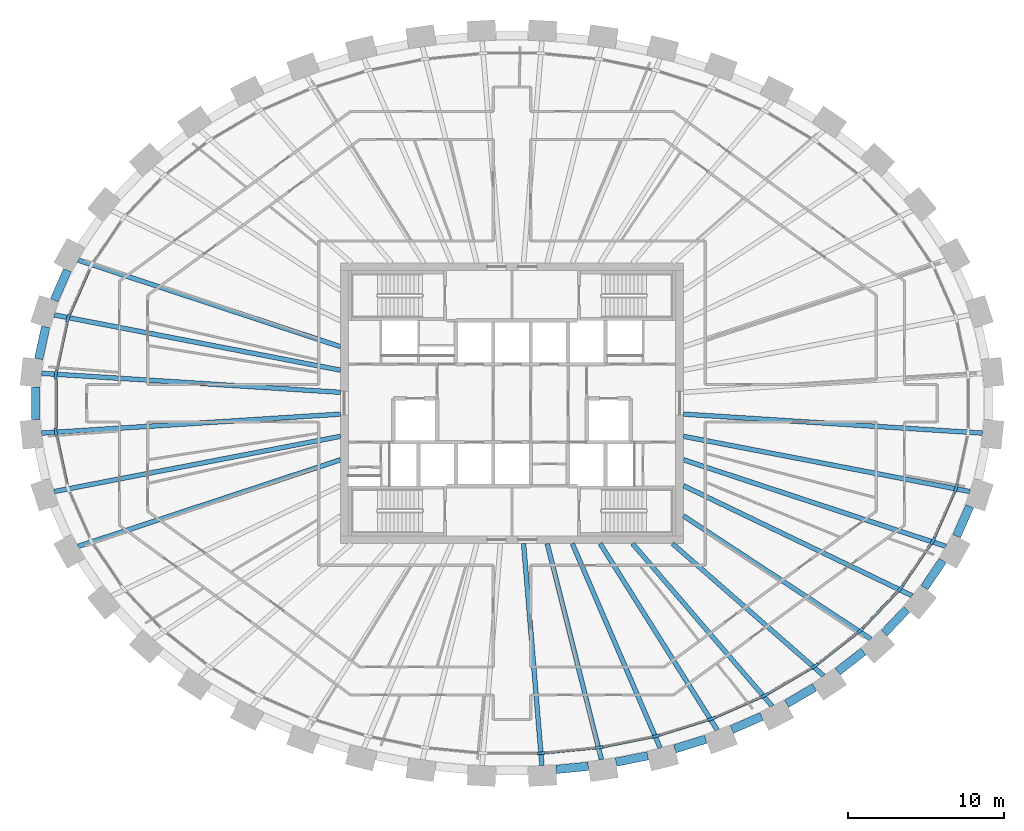
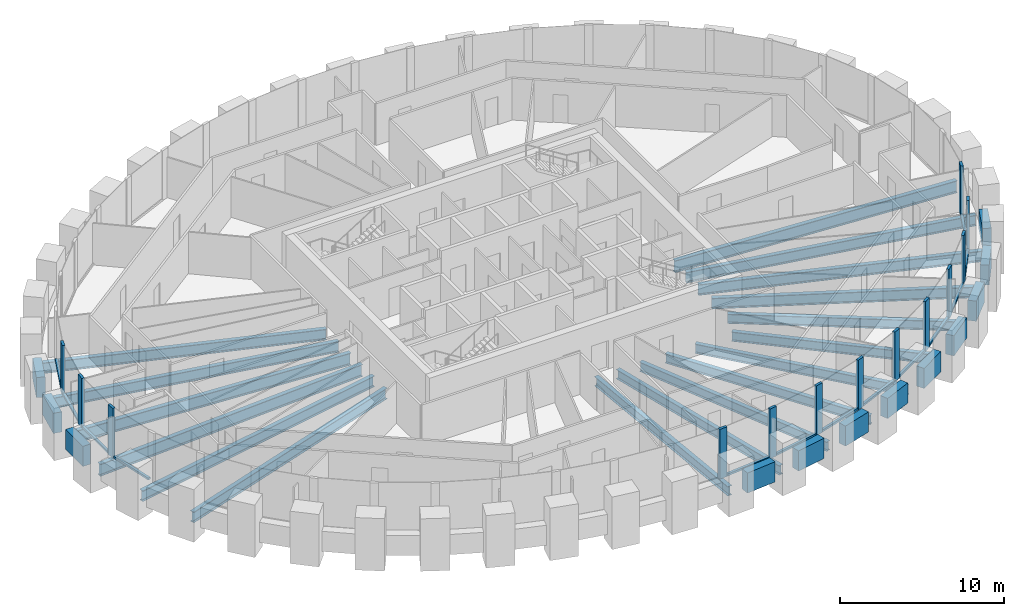
# One storey, part 2 of 12: 29 beams, 26 members, 1 element without a shape of its own.
"""IFC4 building model written with IfcOpenShell, lengths in metres."""

from ifc_helpers import new_model, si_unit, direction, frame, origin, origin_2d, place, context, subcontext, project, spatial, rectangle, i_section, extrude, source, transform, mapped, material, material_profile, profile_set, type_object, element, aggregate, save


model = new_model("IFC4")

# Units and contexts
model_context = context("Model", 3, precision=1e-05, world=origin(), true_north=direction((0.0, 1.0)))
body_context = subcontext(model_context, "Body", "Model", "MODEL_VIEW")
ifc_project = project(units=[si_unit("LENGTHUNIT", "METRE"), si_unit("AREAUNIT", "SQUARE_METRE"), si_unit("VOLUMEUNIT", "CUBIC_METRE"), si_unit("PLANEANGLEUNIT", "RADIAN"), si_unit("MASSUNIT", "GRAM", prefix="KILO")], contexts=[model_context])

# Site, building, storey
site_placement = place(None, origin())
site = spatial("IfcSite", under=ifc_project, at=site_placement, CompositionType="ELEMENT")
building_placement = place(site_placement, origin())
building = spatial("IfcBuilding", under=site, at=building_placement, Name="Embergate Tower", CompositionType="ELEMENT")
storey_placement = place(building_placement, frame((0.0, 0.0, 301.300048828125)))
storey = spatial("IfcBuildingStorey", under=building, at=storey_placement, Name="L70", CompositionType="ELEMENT", Elevation=301.300048828125)

# Beams
ifc_material_1 = material(Name="Steel Q355B", Category="steel")
ifc_material_profile_1 = material_profile(ifc_material_1, i_section(OverallWidth=0.300048828125, OverallDepth=0.699951171875, WebThickness=0.012939453125, FlangeThickness=0.02392578125, FilletRadius=0.01806640625, at=origin_2d()), Name="HN 700x300x13x24")
ifc_profile_set_1 = profile_set([ifc_material_profile_1], Name="Steel Q355 grade B")
beam_type_1 = type_object("IfcBeamType", Name="Radial girder HN 700x300x13x24", PredefinedType="BEAM", material=ifc_profile_set_1)
shared_shape_1 = source(origin(), body_context, "Body", "SweptSolid", [
    extrude(i_section(OverallWidth=0.300048828125, OverallDepth=0.699951171875, WebThickness=0.012939453125, FlangeThickness=0.02392578125, FilletRadius=0.01806640625, at=origin_2d()), origin(), (0.0, 0.0, 1.0), 13.742431640625),
])
beam_1_placement = place(storey_placement, frame((16.681884765625, -19.426025390625, -0.550048828125), z_axis=(-0.651474345674, 0.758670664339, 0.0), x_axis=(-0.758670664339, -0.651474345674, 0.0)))
element("IfcBeam", 1, at=beam_1_placement, inside=storey, type_object=beam_type_1, Name="GIR-L70-37", PredefinedType="BEAM", context=body_context, shape_type="MappedRepresentation", body=[
    mapped(shared_shape_1, transform((0.0, 0.0, 0.0))),
])
ifc_material_2 = material(Name="Concrete C50", Category="concrete")
ifc_material_profile_2 = material_profile(ifc_material_2, rectangle(XDim=0.550048828125, YDim=1.5, at=origin_2d()), Name="RC 550x1500")
ifc_profile_set_2 = profile_set([ifc_material_profile_2], Name="Concrete C50")
beam_type_2 = type_object("IfcBeamType", Name="Spandrel beam RC 550x1500 C50", PredefinedType="BEAM", material=ifc_profile_set_2)
shared_shape_2 = source(origin(), body_context, "Body", "SweptSolid", [
    extrude(rectangle(XDim=0.550048828125, YDim=1.5, at=origin_2d()), origin(), (0.0, 0.0, 1.0), 2.10107421875),
])
beam_2_placement = place(storey_placement, frame((-29.905029296875, 4.89501953125, 0.0), z_axis=(-0.210330547493, -0.977630329312, 0.0), x_axis=(0.977630329312, -0.210330547493, 0.0)))
element("IfcBeam", 2, at=beam_2_placement, inside=storey, type_object=beam_type_2, Name="SPN-L70-20", PredefinedType="BEAM", context=body_context, shape_type="MappedRepresentation", body=[
    mapped(shared_shape_2, transform((0.0, 0.0, 0.0))),
])
shared_shape_3 = source(origin(), body_context, "Body", "SweptSolid", [
    extrude(rectangle(XDim=0.550048828125, YDim=1.5, at=origin_2d()), origin(), (0.0, 0.0, 1.0), 2.097900390625),
])
for number, where, z_axis, x_axis, name in (
    (3, (-28.508056640625, 8.529052734375, 0.0), (-0.401825860592, -0.91571610107, 0.0), (0.91571610107, -0.401825860592, 0.0), "SPN-L70-19"),
    (4, (28.508056640625, -8.529052734375, 0.0), (0.401825860592, 0.91571610107, 0.0), (-0.91571610107, 0.401825860592, 0.0), "SPN-L70-41"),
):
    element("IfcBeam", number, at=place(storey_placement, frame(where, z_axis=z_axis, x_axis=x_axis)), inside=storey, type_object=beam_type_2, Name=name, PredefinedType="BEAM", context=body_context, shape_type="MappedRepresentation", body=[
        mapped(shared_shape_3, transform((0.0, 0.0, 0.0))),
    ])
shared_shape_4 = source(origin(), body_context, "Body", "SweptSolid", [
    extrude(rectangle(XDim=0.550048828125, YDim=1.5, at=origin_2d()), origin(), (0.0, 0.0, 1.0), 2.09033203125),
])
beam_3_placement = place(storey_placement, frame((26.444091796875, -11.822998046875, 0.0), z_axis=(0.562009695033, 0.827130644269, 0.0), x_axis=(-0.827130644269, 0.562009695033, 0.0)))
element("IfcBeam", 5, at=beam_3_placement, inside=storey, type_object=beam_type_2, Name="SPN-L70-40", PredefinedType="BEAM", context=body_context, shape_type="MappedRepresentation", body=[
    mapped(shared_shape_4, transform((0.0, 0.0, 0.0))),
])
shared_shape_5 = source(origin(), body_context, "Body", "SweptSolid", [
    extrude(rectangle(XDim=0.550048828125, YDim=1.5, at=origin_2d()), origin(), (0.0, 0.0, 1.0), 2.08447265625),
])
beam_4_placement = place(storey_placement, frame((23.8740234375, -14.73095703125, 0.0), z_axis=(0.690339235394, 0.72348582576, 0.0), x_axis=(-0.72348582576, 0.690339235394, 0.0)))
element("IfcBeam", 6, at=beam_4_placement, inside=storey, type_object=beam_type_2, Name="SPN-L70-39", PredefinedType="BEAM", context=body_context, shape_type="MappedRepresentation", body=[
    mapped(shared_shape_5, transform((0.0, 0.0, 0.0))),
])
shared_shape_6 = source(origin(), body_context, "Body", "SweptSolid", [
    extrude(rectangle(XDim=0.550048828125, YDim=1.5, at=origin_2d()), origin(), (0.0, 0.0, 1.0), 2.0791015625),
])
beam_5_placement = place(storey_placement, frame((20.887939453125, -17.2041015625, 0.0), z_axis=(0.788383845435, 0.615183641084, 0.0), x_axis=(-0.615183641084, 0.788383845435, 0.0)))
element("IfcBeam", 7, at=beam_5_placement, inside=storey, type_object=beam_type_2, Name="SPN-L70-38", PredefinedType="BEAM", context=body_context, shape_type="MappedRepresentation", body=[
    mapped(shared_shape_6, transform((0.0, 0.0, 0.0))),
])
shared_shape_7 = source(origin(), body_context, "Body", "SweptSolid", [
    extrude(rectangle(XDim=0.550048828125, YDim=1.5, at=origin_2d()), origin(), (0.0, 0.0, 1.0), 2.074462890625),
])
beam_6_placement = place(storey_placement, frame((17.611083984375, -19.26806640625, 0.0), z_axis=(0.861864620017, 0.507138419726, 0.0), x_axis=(-0.507138419726, 0.861864620017, 0.0)))
element("IfcBeam", 8, at=beam_6_placement, inside=storey, type_object=beam_type_2, Name="SPN-L70-37", PredefinedType="BEAM", context=body_context, shape_type="MappedRepresentation", body=[
    mapped(shared_shape_7, transform((0.0, 0.0, 0.0))),
])
shared_shape_8 = source(origin(), body_context, "Body", "SweptSolid", [
    extrude(rectangle(XDim=0.550048828125, YDim=1.5, at=origin_2d()), origin(), (0.0, 0.0, 1.0), 2.073486328125),
])
beam_7_placement = place(storey_placement, frame((14.10791015625, -20.916015625, 0.0), z_axis=(0.91637608024, 0.400318472673, 0.0), x_axis=(-0.400318472673, 0.91637608024, 0.0)))
element("IfcBeam", 9, at=beam_7_placement, inside=storey, type_object=beam_type_2, Name="SPN-L70-36", PredefinedType="BEAM", context=body_context, shape_type="MappedRepresentation", body=[
    mapped(shared_shape_8, transform((0.0, 0.0, 0.0))),
])
shared_shape_9 = source(origin(), body_context, "Body", "SweptSolid", [
    extrude(rectangle(XDim=0.550048828125, YDim=1.5, at=origin_2d()), origin(), (0.0, 0.0, 1.0), 2.07080078125),
])
beam_8_placement = place(storey_placement, frame((10.445068359375, -22.160888671875, 0.0), z_axis=(0.954735561173, 0.297455892917, 0.0), x_axis=(-0.297455892917, 0.954735561173, 0.0)))
element("IfcBeam", 10, at=beam_8_placement, inside=storey, type_object=beam_type_2, Name="SPN-L70-35", PredefinedType="BEAM", context=body_context, shape_type="MappedRepresentation", body=[
    mapped(shared_shape_9, transform((0.0, 0.0, 0.0))),
])
shared_shape_10 = source(origin(), body_context, "Body", "SweptSolid", [
    extrude(rectangle(XDim=0.550048828125, YDim=1.5, at=origin_2d()), origin(), (0.0, 0.0, 1.0), 2.070556640625),
])
beam_9_placement = place(storey_placement, frame((6.6708984375, -23.013916015625, 0.0), z_axis=(0.980398860457, 0.197023030165, 0.0), x_axis=(-0.197023030165, 0.980398860457, 0.0)))
element("IfcBeam", 11, at=beam_9_placement, inside=storey, type_object=beam_type_2, Name="SPN-L70-34", PredefinedType="BEAM", context=body_context, shape_type="MappedRepresentation", body=[
    mapped(shared_shape_10, transform((0.0, 0.0, 0.0))),
])
shared_shape_11 = source(origin(), body_context, "Body", "SweptSolid", [
    extrude(rectangle(XDim=0.550048828125, YDim=1.5, at=origin_2d()), origin(), (0.0, 0.0, 1.0), 2.06884765625),
])
beam_10_placement = place(storey_placement, frame((2.83203125, -23.48095703125, 0.0), z_axis=(0.995226952233, 0.097587466149, 0.0), x_axis=(-0.097587466149, 0.995226952233, 0.0)))
element("IfcBeam", 12, at=beam_10_placement, inside=storey, type_object=beam_type_2, Name="SPN-L70-33", PredefinedType="BEAM", context=body_context, shape_type="MappedRepresentation", body=[
    mapped(shared_shape_11, transform((0.0, 0.0, 0.0))),
])
shared_shape_12 = source(origin(), body_context, "Body", "SweptSolid", [
    extrude(rectangle(XDim=0.550048828125, YDim=1.5, at=origin_2d()), origin(), (0.0, 0.0, 1.0), 2.10205078125),
])
beam_11_placement = place(storey_placement, frame((-30.5380859375, 1.051025390625, 0.0), z_axis=(0.0, -1.0, 0.0), x_axis=(1.0, 0.0, 0.0)))
element("IfcBeam", 13, at=beam_11_placement, inside=storey, type_object=beam_type_2, Name="SPN-L70-21", PredefinedType="BEAM", context=body_context, shape_type="MappedRepresentation", body=[
    mapped(shared_shape_12, transform((0.0, 0.0, 0.0))),
])
ifc_material_profile_3 = material_profile(ifc_material_1, i_section(OverallWidth=0.300048828125, OverallDepth=0.89990234375, WebThickness=0.01611328125, FlangeThickness=0.028076171875, FilletRadius=0.028076171875, at=origin_2d()), Name="HN 900x300x16x28")
ifc_profile_set_3 = profile_set([ifc_material_profile_3], Name="Steel Q355 grade B")
beam_type_3 = type_object("IfcBeamType", Name="Radial girder HN 900x300x16x28", PredefinedType="BEAM", material=ifc_profile_set_3)
shared_shape_13 = source(origin(), body_context, "Body", "SweptSolid", [
    extrude(i_section(OverallWidth=0.300048828125, OverallDepth=0.89990234375, WebThickness=0.01611328125, FlangeThickness=0.028076171875, FilletRadius=0.028076171875, at=origin_2d()), origin(), (0.0, 0.0, 1.0), 19.20166015625),
])
for number, where, z_axis, x_axis, name in (
    (14, (-30.1630859375, 1.916015625, -0.650146484375), (0.997989342147, -0.063381960844, 0.0), (0.063381960844, 0.997989342147, 0.0), "GIR-L70-21"),
    (15, (-30.1630859375, -1.916015625, -0.650146484375), (0.997989342147, 0.063381960844, 0.0), (-0.063381960844, 0.997989342147, 0.0), "GIR-L70-22"),
    (16, (30.1630859375, -1.916015625, -0.650146484375), (-0.997989342147, 0.063381960844, 0.0), (-0.063381960844, -0.997989342147, 0.0), "GIR-L70-43"),
):
    element("IfcBeam", number, at=place(storey_placement, frame(where, z_axis=z_axis, x_axis=x_axis)), inside=storey, type_object=beam_type_3, Name=name, PredefinedType="BEAM", context=body_context, shape_type="MappedRepresentation", body=[
        mapped(shared_shape_13, transform((0.0, 0.0, 0.0))),
    ])
ifc_material_profile_4 = material_profile(ifc_material_1, i_section(OverallWidth=0.300048828125, OverallDepth=0.800048828125, WebThickness=0.013916015625, FlangeThickness=0.02587890625, FilletRadius=0.028076171875, at=origin_2d()), Name="HN 800x300x14x26")
ifc_profile_set_4 = profile_set([ifc_material_profile_4], Name="Steel Q355 grade B")
beam_type_4 = type_object("IfcBeamType", Name="Radial girder HN 800x300x14x26", PredefinedType="BEAM", material=ifc_profile_set_4)
shared_shape_14 = source(origin(), body_context, "Body", "SweptSolid", [
    extrude(i_section(OverallWidth=0.300048828125, OverallDepth=0.800048828125, WebThickness=0.013916015625, FlangeThickness=0.02587890625, FilletRadius=0.028076171875, at=origin_2d()), origin(), (0.0, 0.0, 1.0), 18.6943359375),
])
for number, where, z_axis, x_axis, name in (
    (17, (-29.35595703125, 5.6630859375, -0.60009765625), (0.981896924723, -0.189416021549, 0.0), (0.189416021549, 0.981896924723, 0.0), "GIR-L70-20"),
    (18, (-29.35595703125, -5.6630859375, -0.60009765625), (0.981896924723, 0.189416021549, 0.0), (-0.189416021549, 0.981896924723, 0.0), "GIR-L70-23"),
    (19, (29.35595703125, -5.6630859375, -0.60009765625), (-0.981896924723, 0.189416021549, 0.0), (-0.189416021549, -0.981896924723, 0.0), "GIR-L70-42"),
):
    element("IfcBeam", number, at=place(storey_placement, frame(where, z_axis=z_axis, x_axis=x_axis)), inside=storey, type_object=beam_type_4, Name=name, PredefinedType="BEAM", context=body_context, shape_type="MappedRepresentation", body=[
        mapped(shared_shape_14, transform((0.0, 0.0, 0.0))),
    ])
shared_shape_15 = source(origin(), body_context, "Body", "SweptSolid", [
    extrude(i_section(OverallWidth=0.300048828125, OverallDepth=0.800048828125, WebThickness=0.013916015625, FlangeThickness=0.02587890625, FilletRadius=0.028076171875, at=origin_2d()), origin(), (0.0, 0.0, 1.0), 17.70703125),
])
for number, where, z_axis, x_axis, name in (
    (20, (-27.81591796875, 9.174072265625, -0.60009765625), (0.949680910183, -0.313219042897, 0.0), (0.313219042897, 0.949680910183, 0.0), "GIR-L70-19"),
    (21, (-27.81591796875, -9.174072265625, -0.60009765625), (0.949680910183, 0.313219042897, 0.0), (-0.313219042897, 0.949680910183, 0.0), "GIR-L70-24"),
    (22, (27.81591796875, -9.174072265625, -0.60009765625), (-0.949680910183, 0.313219042897, 0.0), (-0.313219042897, -0.949680910183, 0.0), "GIR-L70-41"),
):
    element("IfcBeam", number, at=place(storey_placement, frame(where, z_axis=z_axis, x_axis=x_axis)), inside=storey, type_object=beam_type_4, Name=name, PredefinedType="BEAM", context=body_context, shape_type="MappedRepresentation", body=[
        mapped(shared_shape_15, transform((0.0, 0.0, 0.0))),
    ])
shared_shape_16 = source(origin(), body_context, "Body", "SweptSolid", [
    extrude(i_section(OverallWidth=0.300048828125, OverallDepth=0.800048828125, WebThickness=0.013916015625, FlangeThickness=0.02587890625, FilletRadius=0.028076171875, at=origin_2d()), origin(), (0.0, 0.0, 1.0), 16.268310546875),
])
beam_12_placement = place(storey_placement, frame((25.659912109375, -12.344970703125, -0.60009765625), z_axis=(-0.901133717561, 0.433541258791, 0.0), x_axis=(-0.433541258791, -0.901133717561, 0.0)))
element("IfcBeam", 23, at=beam_12_placement, inside=storey, type_object=beam_type_4, Name="GIR-L70-40", PredefinedType="BEAM", context=body_context, shape_type="MappedRepresentation", body=[
    mapped(shared_shape_16, transform((0.0, 0.0, 0.0))),
])
shared_shape_17 = source(origin(), body_context, "Body", "SweptSolid", [
    extrude(i_section(OverallWidth=0.300048828125, OverallDepth=0.699951171875, WebThickness=0.012939453125, FlangeThickness=0.02392578125, FilletRadius=0.01806640625, at=origin_2d()), origin(), (0.0, 0.0, 1.0), 14.3740234375),
])
beam_13_placement = place(storey_placement, frame((23.012939453125, -15.1201171875, -0.550048828125), z_axis=(-0.835742226811, 0.549121963069, 0.0), x_axis=(-0.549121963069, -0.835742226811, 0.0)))
element("IfcBeam", 24, at=beam_13_placement, inside=storey, type_object=beam_type_1, Name="GIR-L70-39", PredefinedType="BEAM", context=body_context, shape_type="MappedRepresentation", body=[
    mapped(shared_shape_17, transform((0.0, 0.0, 0.0))),
])
shared_shape_18 = source(origin(), body_context, "Body", "SweptSolid", [
    extrude(i_section(OverallWidth=0.300048828125, OverallDepth=0.699951171875, WebThickness=0.012939453125, FlangeThickness=0.02392578125, FilletRadius=0.01806640625, at=origin_2d()), origin(), (0.0, 0.0, 1.0), 12.88330078125),
])
beam_14_placement = place(storey_placement, frame((19.989013671875, -17.48095703125, -0.550048828125), z_axis=(-0.752760969036, 0.658293949157, 0.0), x_axis=(-0.658293949157, -0.752760969036, 0.0)))
element("IfcBeam", 25, at=beam_14_placement, inside=storey, type_object=beam_type_1, Name="GIR-L70-38", PredefinedType="BEAM", context=body_context, shape_type="MappedRepresentation", body=[
    mapped(shared_shape_18, transform((0.0, 0.0, 0.0))),
])
shared_shape_19 = source(origin(), body_context, "Body", "SweptSolid", [
    extrude(i_section(OverallWidth=0.300048828125, OverallDepth=0.699951171875, WebThickness=0.012939453125, FlangeThickness=0.02392578125, FilletRadius=0.01806640625, at=origin_2d()), origin(), (0.0, 0.0, 1.0), 14.126953125),
])
beam_15_placement = place(storey_placement, frame((13.166015625, -20.962890625, -0.550048828125), z_axis=(-0.531886600535, 0.846815590416, 0.0), x_axis=(-0.846815590416, -0.531886600535, 0.0)))
element("IfcBeam", 26, at=beam_15_placement, inside=storey, type_object=beam_type_1, Name="GIR-L70-36", PredefinedType="BEAM", context=body_context, shape_type="MappedRepresentation", body=[
    mapped(shared_shape_19, transform((0.0, 0.0, 0.0))),
])
shared_shape_20 = source(origin(), body_context, "Body", "SweptSolid", [
    extrude(i_section(OverallWidth=0.300048828125, OverallDepth=0.699951171875, WebThickness=0.012939453125, FlangeThickness=0.02392578125, FilletRadius=0.01806640625, at=origin_2d()), origin(), (0.0, 0.0, 1.0), 14.263427734375),
])
beam_16_placement = place(storey_placement, frame((9.501953125, -22.10400390625, -0.550048828125), z_axis=(-0.394929229866, 0.918711545262, 0.0), x_axis=(-0.918711545262, -0.394929229866, 0.0)))
element("IfcBeam", 27, at=beam_16_placement, inside=storey, type_object=beam_type_1, Name="GIR-L70-35", PredefinedType="BEAM", context=body_context, shape_type="MappedRepresentation", body=[
    mapped(shared_shape_20, transform((0.0, 0.0, 0.0))),
])
shared_shape_21 = source(origin(), body_context, "Body", "SweptSolid", [
    extrude(i_section(OverallWidth=0.300048828125, OverallDepth=0.699951171875, WebThickness=0.012939453125, FlangeThickness=0.02392578125, FilletRadius=0.01806640625, at=origin_2d()), origin(), (0.0, 0.0, 1.0), 14.288818359375),
])
beam_17_placement = place(storey_placement, frame((5.738037109375, -22.85888671875, -0.550048828125), z_axis=(-0.243476248961, 0.969906859545, 0.0), x_axis=(-0.969906859545, -0.243476248961, 0.0)))
element("IfcBeam", 28, at=beam_17_placement, inside=storey, type_object=beam_type_1, Name="GIR-L70-34", PredefinedType="BEAM", context=body_context, shape_type="MappedRepresentation", body=[
    mapped(shared_shape_21, transform((0.0, 0.0, 0.0))),
])
shared_shape_22 = source(origin(), body_context, "Body", "SweptSolid", [
    extrude(i_section(OverallWidth=0.300048828125, OverallDepth=0.699951171875, WebThickness=0.012939453125, FlangeThickness=0.02392578125, FilletRadius=0.01806640625, at=origin_2d()), origin(), (0.0, 0.0, 1.0), 14.282470703125),
])
beam_18_placement = place(storey_placement, frame((1.9189453125, -23.23388671875, -0.550048828125), z_axis=(-0.082340957712, 0.996604217673, 0.0), x_axis=(-0.996604217673, -0.082340957712, 0.0)))
element("IfcBeam", 29, at=beam_18_placement, inside=storey, type_object=beam_type_1, Name="GIR-L70-33", PredefinedType="BEAM", context=body_context, shape_type="MappedRepresentation", body=[
    mapped(shared_shape_22, transform((0.0, 0.0, 0.0))),
])

# Curtain wall, members
ifc_material_3 = material(Name="Aluminium and glass", Category="aluminium")
curtain_wall_type = type_object("IfcCurtainWallType", Name="Recessed office glazing", PredefinedType="NOTDEFINED", material=ifc_material_3)
curtain_wall_placement = place(storey_placement, origin())
curtain_wall = element("IfcCurtainWall", 30, at=curtain_wall_placement, inside=storey, type_object=curtain_wall_type, Name="Recessed office glazing ring", ObjectType="RECESSED OFFICE GLAZING", PredefinedType="USERDEFINED")
ifc_material_4 = material(Name="Aluminium, thermally broken", Category="aluminium")
ifc_material_profile_5 = material_profile(ifc_material_4, rectangle(XDim=0.179931640625, YDim=0.52001953125, at=origin_2d()), Name="AL 520x180")
ifc_profile_set_5 = profile_set([ifc_material_profile_5], Name="Aluminium, thermally broken")
member_type_1 = type_object("IfcMemberType", Name="Office mullion", PredefinedType="MULLION", material=ifc_profile_set_5)
shared_shape_23 = source(origin(), body_context, "Body", "SweptSolid", [
    extrude(rectangle(XDim=0.179931640625, YDim=0.52001953125, at=origin_2d()), origin(), (0.0, 0.0, 1.0), 3.699951171875),
])
member_1_placement = place(storey_placement, frame((-28.47705078125, 5.44384765625, 0.0), z_axis=(0.0, 0.0, 1.0), x_axis=(0.951492965233, -0.307670500881, 0.0)))
member_1 = element("IfcMember", 31, at=member_1_placement, type_object=member_type_1, Name="CW mullion 21", PredefinedType="MULLION", context=body_context, shape_type="MappedRepresentation", body=[
    mapped(shared_shape_23, transform((0.0, 0.0, 0.0))),
])
member_2_placement = place(storey_placement, frame((-29.252197265625, 1.84130859375, 0.0), z_axis=(0.0, 0.0, 1.0), x_axis=(0.994384215926, -0.105830199459, 0.0)))
member_2 = element("IfcMember", 32, at=member_2_placement, type_object=member_type_1, Name="CW mullion 22", PredefinedType="MULLION", context=body_context, shape_type="MappedRepresentation", body=[
    mapped(shared_shape_23, transform((0.0, 0.0, 0.0))),
])
member_3_placement = place(storey_placement, frame((-29.252197265625, -1.84130859375, 0.0), z_axis=(0.0, 0.0, 1.0), x_axis=(0.994384215926, 0.105830199459, 0.0)))
member_3 = element("IfcMember", 33, at=member_3_placement, type_object=member_type_1, Name="CW mullion 23", PredefinedType="MULLION", context=body_context, shape_type="MappedRepresentation", body=[
    mapped(shared_shape_23, transform((0.0, 0.0, 0.0))),
])
member_4_placement = place(storey_placement, frame((1.86669921875, -22.4423828125, 0.0), z_axis=(0.0, 0.0, 1.0), x_axis=(-0.048971796621, 0.998800161762, 0.0)))
member_4 = element("IfcMember", 34, at=member_4_placement, type_object=member_type_1, Name="CW mullion 34", PredefinedType="MULLION", context=body_context, shape_type="MappedRepresentation", body=[
    mapped(shared_shape_23, transform((0.0, 0.0, 0.0))),
])
member_5_placement = place(storey_placement, frame((5.581787109375, -22.0771484375, 0.0), z_axis=(0.0, 0.0, 1.0), x_axis=(-0.147412382818, 0.989075118174, 0.0)))
member_5 = element("IfcMember", 35, at=member_5_placement, type_object=member_type_1, Name="CW mullion 35", PredefinedType="MULLION", context=body_context, shape_type="MappedRepresentation", body=[
    mapped(shared_shape_23, transform((0.0, 0.0, 0.0))),
])
member_6_placement = place(storey_placement, frame((9.240478515625, -21.343505859375, 0.0), z_axis=(0.0, 0.0, 1.0), x_axis=(-0.24731188137, 0.968935928394, 0.0)))
member_6 = element("IfcMember", 36, at=member_6_placement, type_object=member_type_1, Name="CW mullion 36", PredefinedType="MULLION", context=body_context, shape_type="MappedRepresentation", body=[
    mapped(shared_shape_23, transform((0.0, 0.0, 0.0))),
])
member_7_placement = place(storey_placement, frame((12.801513671875, -20.234619140625, 0.0), z_axis=(0.0, 0.0, 1.0), x_axis=(-0.349501047589, 0.936935973124, 0.0)))
member_7 = element("IfcMember", 37, at=member_7_placement, type_object=member_type_1, Name="CW mullion 37", PredefinedType="MULLION", context=body_context, shape_type="MappedRepresentation", body=[
    mapped(shared_shape_23, transform((0.0, 0.0, 0.0))),
])
member_8_placement = place(storey_placement, frame((16.2158203125, -18.741455078125, 0.0), z_axis=(0.0, 0.0, 1.0), x_axis=(-0.454508271251, 0.890742516872, 0.0)))
member_8 = element("IfcMember", 38, at=member_8_placement, type_object=member_type_1, Name="CW mullion 38", PredefinedType="MULLION", context=body_context, shape_type="MappedRepresentation", body=[
    mapped(shared_shape_23, transform((0.0, 0.0, 0.0))),
])
member_9_placement = place(storey_placement, frame((19.42431640625, -16.855224609375, 0.0), z_axis=(0.0, 0.0, 1.0), x_axis=(-0.56221328843, 0.826992272221, 0.0)))
member_9 = element("IfcMember", 39, at=member_9_placement, type_object=member_type_1, Name="CW mullion 39", PredefinedType="MULLION", context=body_context, shape_type="MappedRepresentation", body=[
    mapped(shared_shape_23, transform((0.0, 0.0, 0.0))),
])
member_10_placement = place(storey_placement, frame((22.353759765625, -14.56884765625, 0.0), z_axis=(0.0, 0.0, 1.0), x_axis=(-0.671220065284, 0.741258135847, 0.0)))
member_10 = element("IfcMember", 40, at=member_10_placement, type_object=member_type_1, Name="CW mullion 40", PredefinedType="MULLION", context=body_context, shape_type="MappedRepresentation", body=[
    mapped(shared_shape_23, transform((0.0, 0.0, 0.0))),
])
member_11_placement = place(storey_placement, frame((24.913330078125, -11.884765625, 0.0), z_axis=(0.0, 0.0, 1.0), x_axis=(-0.777863789852, 0.628432911643, 0.0)))
member_11 = element("IfcMember", 41, at=member_11_placement, type_object=member_type_1, Name="CW mullion 41", PredefinedType="MULLION", context=body_context, shape_type="MappedRepresentation", body=[
    mapped(shared_shape_23, transform((0.0, 0.0, 0.0))),
])
member_12_placement = place(storey_placement, frame((26.994140625, -8.824951171875, 0.0), z_axis=(0.0, 0.0, 1.0), x_axis=(-0.87499344622, 0.484134763338, 0.0)))
member_12 = element("IfcMember", 42, at=member_12_placement, type_object=member_type_1, Name="CW mullion 42", PredefinedType="MULLION", context=body_context, shape_type="MappedRepresentation", body=[
    mapped(shared_shape_23, transform((0.0, 0.0, 0.0))),
])
member_13_placement = place(storey_placement, frame((28.47705078125, -5.44384765625, 0.0), z_axis=(0.0, 0.0, 1.0), x_axis=(-0.951492965233, 0.307670500881, 0.0)))
member_13 = element("IfcMember", 43, at=member_13_placement, type_object=member_type_1, Name="CW mullion 43", PredefinedType="MULLION", context=body_context, shape_type="MappedRepresentation", body=[
    mapped(shared_shape_23, transform((0.0, 0.0, 0.0))),
])
ifc_material_profile_6 = material_profile(ifc_material_4, rectangle(XDim=0.179931640625, YDim=0.14990234375, at=origin_2d()), Name="AL 150x180")
ifc_profile_set_6 = profile_set([ifc_material_profile_6], Name="Aluminium, thermally broken")
member_type_2 = type_object("IfcMemberType", Name="Office sill transom", PredefinedType="USERDEFINED", material=ifc_profile_set_6)
shared_shape_24 = source(origin(), body_context, "Body", "SweptSolid", [
    extrude(rectangle(XDim=0.179931640625, YDim=0.14990234375, at=origin_2d()), origin(), (0.0, 0.0, 1.0), 3.1650390625),
])
member_14_placement = place(storey_placement, frame((-28.53173828125, 5.189697265625, 0.074951171875), z_axis=(-0.210350798958, -0.977625972127, 0.0), x_axis=(0.977625972127, -0.210350798958, 0.0)))
member_14 = element("IfcMember", 44, at=member_14_placement, type_object=member_type_2, Name="CW transom 21.1", ObjectType="TRANSOM", PredefinedType="USERDEFINED", context=body_context, shape_type="MappedRepresentation", body=[
    mapped(shared_shape_24, transform((0.0, 0.0, 0.0))),
])
member_15_placement = place(storey_placement, frame((-29.197509765625, -2.095458984375, 0.074951171875), z_axis=(0.210350798958, -0.977625972127, 0.0), x_axis=(0.977625972127, 0.210350798958, 0.0)))
member_15 = element("IfcMember", 45, at=member_15_placement, type_object=member_type_2, Name="CW transom 23.1", ObjectType="TRANSOM", PredefinedType="USERDEFINED", context=body_context, shape_type="MappedRepresentation", body=[
    mapped(shared_shape_24, transform((0.0, 0.0, 0.0))),
])
shared_shape_25 = source(origin(), body_context, "Body", "SweptSolid", [
    extrude(rectangle(XDim=0.179931640625, YDim=0.14990234375, at=origin_2d()), origin(), (0.0, 0.0, 1.0), 3.172119140625),
])
member_16_placement = place(storey_placement, frame((-27.0986328125, 8.5869140625, 0.074951171875), z_axis=(-0.401606005278, -0.915812544424, 0.0), x_axis=(0.915812544424, -0.401606005278, 0.0)))
member_16 = element("IfcMember", 46, at=member_16_placement, type_object=member_type_2, Name="CW transom 20.1", ObjectType="TRANSOM", PredefinedType="USERDEFINED", context=body_context, shape_type="MappedRepresentation", body=[
    mapped(shared_shape_25, transform((0.0, 0.0, 0.0))),
])
member_17_placement = place(storey_placement, frame((27.0986328125, -8.5869140625, 0.074951171875), z_axis=(0.401606005278, 0.915812544424, 0.0), x_axis=(-0.915812544424, 0.401606005278, 0.0)))
member_17 = element("IfcMember", 47, at=member_17_placement, type_object=member_type_2, Name="CW transom 42.1", ObjectType="TRANSOM", PredefinedType="USERDEFINED", context=body_context, shape_type="MappedRepresentation", body=[
    mapped(shared_shape_25, transform((0.0, 0.0, 0.0))),
])
shared_shape_26 = source(origin(), body_context, "Body", "SweptSolid", [
    extrude(rectangle(XDim=0.179931640625, YDim=0.14990234375, at=origin_2d()), origin(), (0.0, 0.0, 1.0), 3.180419921875),
])
member_18_placement = place(storey_placement, frame((25.0595703125, -11.669921875, 0.074951171875), z_axis=(0.562276427382, 0.826949345009, 0.0), x_axis=(-0.826949345009, 0.562276427382, 0.0)))
member_18 = element("IfcMember", 48, at=member_18_placement, type_object=member_type_2, Name="CW transom 41.1", ObjectType="TRANSOM", PredefinedType="USERDEFINED", context=body_context, shape_type="MappedRepresentation", body=[
    mapped(shared_shape_26, transform((0.0, 0.0, 0.0))),
])
shared_shape_27 = source(origin(), body_context, "Body", "SweptSolid", [
    extrude(rectangle(XDim=0.179931640625, YDim=0.14990234375, at=origin_2d()), origin(), (0.0, 0.0, 1.0), 3.188720703125),
])
member_19_placement = place(storey_placement, frame((22.533203125, -14.380615234375, 0.074951171875), z_axis=(0.690140615527, 0.723675293761, 0.0), x_axis=(-0.723675293761, 0.690140615527, 0.0)))
member_19 = element("IfcMember", 49, at=member_19_placement, type_object=member_type_2, Name="CW transom 40.1", ObjectType="TRANSOM", PredefinedType="USERDEFINED", context=body_context, shape_type="MappedRepresentation", body=[
    mapped(shared_shape_27, transform((0.0, 0.0, 0.0))),
])
shared_shape_28 = source(origin(), body_context, "Body", "SweptSolid", [
    extrude(rectangle(XDim=0.179931640625, YDim=0.14990234375, at=origin_2d()), origin(), (0.0, 0.0, 1.0), 3.196044921875),
])
member_20_placement = place(storey_placement, frame((19.629150390625, -16.6953125, 0.074951171875), z_axis=(0.788302228684, 0.615288222098, 0.0), x_axis=(-0.615288222098, 0.788302228684, 0.0)))
member_20 = element("IfcMember", 50, at=member_20_placement, type_object=member_type_2, Name="CW transom 39.1", ObjectType="TRANSOM", PredefinedType="USERDEFINED", context=body_context, shape_type="MappedRepresentation", body=[
    mapped(shared_shape_28, transform((0.0, 0.0, 0.0))),
])
shared_shape_29 = source(origin(), body_context, "Body", "SweptSolid", [
    extrude(rectangle(XDim=0.179931640625, YDim=0.14990234375, at=origin_2d()), origin(), (0.0, 0.0, 1.0), 3.201904296875),
])
member_21_placement = place(storey_placement, frame((16.43994140625, -18.609619140625, 0.074951171875), z_axis=(0.862053756613, 0.506816851248, 0.0), x_axis=(-0.506816851248, 0.862053756613, 0.0)))
member_21 = element("IfcMember", 51, at=member_21_placement, type_object=member_type_2, Name="CW transom 38.1", ObjectType="TRANSOM", PredefinedType="USERDEFINED", context=body_context, shape_type="MappedRepresentation", body=[
    mapped(shared_shape_29, transform((0.0, 0.0, 0.0))),
])
shared_shape_30 = source(origin(), body_context, "Body", "SweptSolid", [
    extrude(rectangle(XDim=0.179931640625, YDim=0.14990234375, at=origin_2d()), origin(), (0.0, 0.0, 1.0), 3.206298828125),
])
member_22_placement = place(storey_placement, frame((13.039794921875, -20.13037109375, 0.074951171875), z_axis=(0.916225475643, 0.400663047688, 0.0), x_axis=(-0.400663047688, 0.916225475643, 0.0)))
member_22 = element("IfcMember", 52, at=member_22_placement, type_object=member_type_2, Name="CW transom 37.1", ObjectType="TRANSOM", PredefinedType="USERDEFINED", context=body_context, shape_type="MappedRepresentation", body=[
    mapped(shared_shape_30, transform((0.0, 0.0, 0.0))),
])
shared_shape_31 = source(origin(), body_context, "Body", "SweptSolid", [
    extrude(rectangle(XDim=0.179931640625, YDim=0.14990234375, at=origin_2d()), origin(), (0.0, 0.0, 1.0), 3.20947265625),
])
member_23_placement = place(storey_placement, frame((9.489013671875, -21.26611328125, 0.074951171875), z_axis=(0.954765144534, 0.297360923431, 0.0), x_axis=(-0.297360923431, 0.954765144534, 0.0)))
member_23 = element("IfcMember", 53, at=member_23_placement, type_object=member_type_2, Name="CW transom 36.1", ObjectType="TRANSOM", PredefinedType="USERDEFINED", context=body_context, shape_type="MappedRepresentation", body=[
    mapped(shared_shape_31, transform((0.0, 0.0, 0.0))),
])
shared_shape_32 = source(origin(), body_context, "Body", "SweptSolid", [
    extrude(rectangle(XDim=0.179931640625, YDim=0.14990234375, at=origin_2d()), origin(), (0.0, 0.0, 1.0), 3.211669921875),
])
member_24_placement = place(storey_placement, frame((5.836669921875, -22.026123046875, 0.074951171875), z_axis=(0.980472347912, 0.196656998298, 0.0), x_axis=(-0.196656998298, 0.980472347912, 0.0)))
member_24 = element("IfcMember", 54, at=member_24_placement, type_object=member_type_2, Name="CW transom 35.1", ObjectType="TRANSOM", PredefinedType="USERDEFINED", context=body_context, shape_type="MappedRepresentation", body=[
    mapped(shared_shape_32, transform((0.0, 0.0, 0.0))),
])
shared_shape_33 = source(origin(), body_context, "Body", "SweptSolid", [
    extrude(rectangle(XDim=0.179931640625, YDim=0.14990234375, at=origin_2d()), origin(), (0.0, 0.0, 1.0), 3.212890625),
])
member_25_placement = place(storey_placement, frame((2.12548828125, -22.4169921875, 0.074951171875), z_axis=(0.995206508067, 0.097795737641, 0.0), x_axis=(-0.097795737641, 0.995206508067, 0.0)))
member_25 = element("IfcMember", 55, at=member_25_placement, type_object=member_type_2, Name="CW transom 34.1", ObjectType="TRANSOM", PredefinedType="USERDEFINED", context=body_context, shape_type="MappedRepresentation", body=[
    mapped(shared_shape_33, transform((0.0, 0.0, 0.0))),
])
shared_shape_34 = source(origin(), body_context, "Body", "SweptSolid", [
    extrude(rectangle(XDim=0.179931640625, YDim=0.14990234375, at=origin_2d()), origin(), (0.0, 0.0, 1.0), 3.16259765625),
])
member_26_placement = place(storey_placement, frame((-29.252197265625, 1.581298828125, 0.074951171875), z_axis=(0.0, -1.0, 0.0), x_axis=(1.0, 0.0, 0.0)))
member_26 = element("IfcMember", 56, at=member_26_placement, type_object=member_type_2, Name="CW transom 22.1", ObjectType="TRANSOM", PredefinedType="USERDEFINED", context=body_context, shape_type="MappedRepresentation", body=[
    mapped(shared_shape_34, transform((0.0, 0.0, 0.0))),
])
aggregate(curtain_wall, [member_1, member_2, member_3, member_4, member_5, member_6, member_7, member_8, member_9, member_10, member_11, member_12, member_13, member_16, member_14, member_26, member_15, member_25, member_24, member_23, member_22, member_21, member_20, member_19, member_18, member_17])

save(model, "model.ifc")
